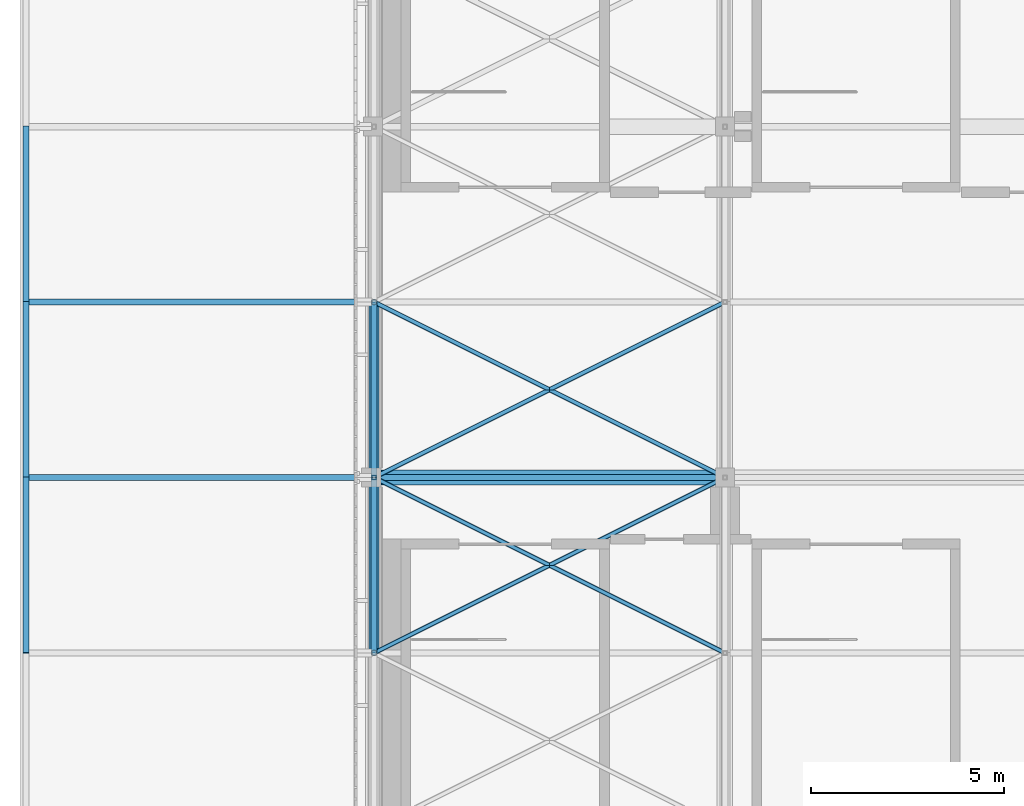
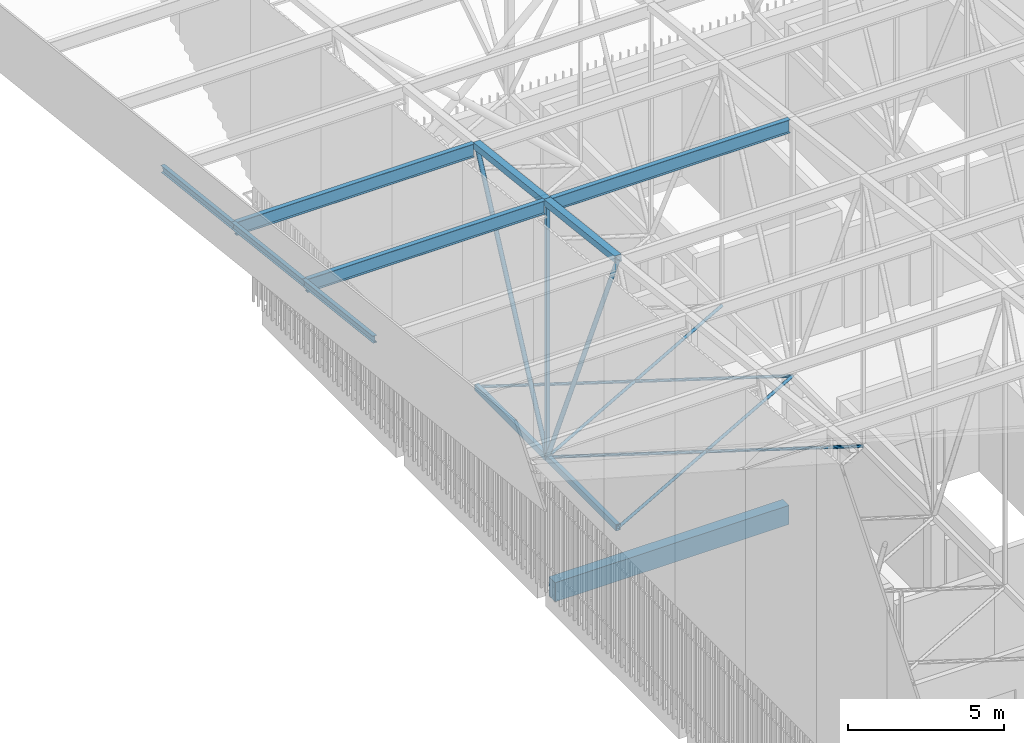
# One storey, part 218 of 500: 17 members, 1 beam.
"""IFC4 building model written with IfcOpenShell, lengths in metres."""

from ifc_helpers import new_model, si_unit, direction, frame, origin, origin_2d, place, context, subcontext, project, spatial, rectangle, hollow_rectangle, hollow_circle, i_section, extrude, material, material_profile, profile_set, type_object, element, save


model = new_model("IFC4")

# Units and contexts
model_context = context("Model", 3, precision=1e-05, world=origin(), true_north=direction((0.0, 1.0)))
body_context = subcontext(model_context, "Body", "Model", "MODEL_VIEW")
ifc_project = project(units=[si_unit("LENGTHUNIT", "METRE"), si_unit("AREAUNIT", "SQUARE_METRE"), si_unit("VOLUMEUNIT", "CUBIC_METRE"), si_unit("PLANEANGLEUNIT", "RADIAN"), si_unit("MASSUNIT", "GRAM", prefix="KILO")], contexts=[model_context])

# Site, building, storey
site_placement = place(None, origin())
site = spatial("IfcSite", under=ifc_project, at=site_placement, CompositionType="ELEMENT")
building_placement = place(site_placement, origin())
building = spatial("IfcBuilding", under=site, at=building_placement, Name="Shirokan Park Arena", CompositionType="ELEMENT")
storey_placement = place(building_placement, frame((0.0, 0.0, 29.1201171875)))
storey = spatial("IfcBuildingStorey", under=building, at=storey_placement, Name="L06", CompositionType="ELEMENT", Elevation=29.1201171875)

# Members
ifc_material_1 = material(Name="Steel ASTM A500 Grade C", Category="steel")
ifc_material_profile_1 = material_profile(ifc_material_1, hollow_rectangle(XDim=0.152099609375, YDim=0.25390625, WallThickness=0.009521484375, at=origin_2d()), Name="HSS254X152.4X9.5")
ifc_profile_set_1 = profile_set([ifc_material_profile_1], Name="Steel ASTM A500 Grade C")
member_type_1 = type_object("IfcMemberType", Name="Bottom chord HSS254X152.4X9.5", PredefinedType="CHORD", material=ifc_profile_set_1)
for number, where, z_axis, x_axis, name in (
    (1, (0.0, 86.449951171875, 4.677001953125), (0.0, 1.0, 0.0), (-1.0, 0.0, 0.0), "Truss T01 bottom chord 22"),
    (2, (0.0, 91.0, 4.677001953125), (0.0, 1.0, 0.0), (-1.0, 0.0, 0.0), "Truss T01 bottom chord 23"),
):
    element("IfcMember", number, at=place(storey_placement, frame(where, z_axis=z_axis, x_axis=x_axis)), inside=storey, type_object=member_type_1, Name=name, PredefinedType="CHORD", context=body_context, shape_type="SweptSolid", body=[
        extrude(hollow_rectangle(XDim=0.152099609375, YDim=0.25390625, WallThickness=0.009521484375, at=origin_2d()), origin(), (0.0, 0.0, 1.0), 4.550048828125),
    ])
ifc_material_profile_2 = material_profile(ifc_material_1, hollow_circle(Radius=0.056884765625, WallThickness=0.006103515625, at=origin_2d()), Name="HSS114.3X6")
ifc_profile_set_2 = profile_set([ifc_material_profile_2], Name="Steel ASTM A500 Grade C")
member_type_2 = type_object("IfcMemberType", Name="Plan bracing HSS114.3X6", PredefinedType="BRACE", material=ifc_profile_set_2)
for number, where, z_axis, x_axis, name in (
    (3, (0.0, 86.449951171875, 4.677001953125), (0.894427191, 0.4472135955, 0.0), (-0.4472135955, 0.894427191, 0.0), "Plan bracing bay 1 panel 22 A"),
    (4, (9.10009765625, 86.449951171875, 4.677001953125), (-0.894427191, 0.4472135955, 0.0), (-0.4472135955, -0.894427191, 0.0), "Plan bracing bay 1 panel 22 B"),
    (5, (0.0, 91.0, 4.677001953125), (0.894427191, 0.4472135955, 0.0), (-0.4472135955, 0.894427191, 0.0), "Plan bracing bay 1 panel 23 A"),
    (6, (9.10009765625, 91.0, 4.677001953125), (-0.894427191, 0.4472135955, 0.0), (-0.4472135955, -0.894427191, 0.0), "Plan bracing bay 1 panel 23 B"),
):
    element("IfcMember", number, at=place(storey_placement, frame(where, z_axis=z_axis, x_axis=x_axis)), inside=storey, type_object=member_type_2, Name=name, PredefinedType="BRACE", context=body_context, shape_type="SweptSolid", body=[
        extrude(hollow_circle(Radius=0.056884765625, WallThickness=0.006103515625, at=origin_2d()), origin(), (0.0, 0.0, 1.0), 10.17431640625),
    ])
ifc_material_2 = material(Name="Steel ASTM A992", Category="steel")
ifc_material_profile_3 = material_profile(ifc_material_2, i_section(OverallWidth=0.166015625, OverallDepth=0.528076171875, WebThickness=0.009765625, FlangeThickness=0.013671875, at=origin_2d()), Name="W530X74")
ifc_profile_set_3 = profile_set([ifc_material_profile_3], Name="Steel ASTM A992")
member_type_3 = type_object("IfcMemberType", Name="Purlin W530X74", PredefinedType="PURLIN", material=ifc_profile_set_3)
member_1_placement = place(storey_placement, frame((0.126953125, 91.0, 14.56591796875), z_axis=(1.0, 0.0, 0.0), x_axis=(0.0, 1.0, 0.0)))
element("IfcMember", 7, at=member_1_placement, inside=storey, type_object=member_type_3, Name="Purlin 23 bay 1", PredefinedType="PURLIN", context=body_context, shape_type="SweptSolid", body=[
    extrude(i_section(OverallWidth=0.166015625, OverallDepth=0.528076171875, WebThickness=0.009765625, FlangeThickness=0.013671875, at=origin_2d()), origin(), (0.0, 0.0, 1.0), 8.845947265625),
])
for number, where, z_axis, x_axis, name in (
    (8, (-8.951904296875, 91.0, 14.56591796875), (1.0, 0.0, 0.0), (0.0, 1.0, 0.0), "Eave purlin west 23"),
    (9, (-8.951904296875, 95.550048828125, 14.0458984375), (1.0, 0.0, 0.0), (0.0, 1.0, 0.0), "Eave purlin west 24"),
):
    element("IfcMember", number, at=place(storey_placement, frame(where, z_axis=z_axis, x_axis=x_axis)), inside=storey, type_object=member_type_3, Name=name, PredefinedType="PURLIN", context=body_context, shape_type="SweptSolid", body=[
        extrude(i_section(OverallWidth=0.166015625, OverallDepth=0.528076171875, WebThickness=0.009765625, FlangeThickness=0.013671875, at=origin_2d()), origin(), (0.0, 0.0, 1.0), 8.824951171875),
    ])

# Beam
ifc_material_3 = material(Name="Concrete C35", Category="concrete")
ifc_material_profile_4 = material_profile(ifc_material_3, rectangle(XDim=0.39990234375, YDim=0.75, at=origin_2d()), Name="400x750")
ifc_profile_set_4 = profile_set([ifc_material_profile_4], Name="Concrete C35")
beam_type = type_object("IfcBeamType", Name="RC girder 400x750", PredefinedType="BEAM", material=ifc_profile_set_4)
beam_placement = place(storey_placement, frame((0.175048828125, 91.0, -0.5751953125), z_axis=(1.0, 0.0, 0.0), x_axis=(0.0, 1.0, 0.0)))
element("IfcBeam", 10, at=beam_placement, inside=storey, type_object=beam_type, Name="Girder 1L-2L L06", PredefinedType="BEAM", context=body_context, shape_type="SweptSolid", body=[
    extrude(rectangle(XDim=0.39990234375, YDim=0.75, at=origin_2d()), origin(), (0.0, 0.0, 1.0), 8.6748046875),
])

# Members
ifc_material_profile_5 = material_profile(ifc_material_2, i_section(OverallWidth=0.14794921875, OverallDepth=0.26708984375, WebThickness=0.007568359375, FlangeThickness=0.012939453125, at=origin_2d()), Name="W250X44.8")
ifc_profile_set_5 = profile_set([ifc_material_profile_5], Name="Steel ASTM A992")
member_type_4 = type_object("IfcMemberType", Name="Roof edge beam W250X44.8", PredefinedType="USERDEFINED", material=ifc_profile_set_5)
for number, where, z_axis, x_axis, name in (
    (11, (-9.02587890625, 86.449951171875, 15.21630859375), (0.0, 0.993532328996, -0.113549598152), (-1.0, 0.0, 0.0), "Roof edge beam W 22"),
    (12, (-9.02587890625, 91.0, 14.6962890625), (0.0, 0.993532328996, -0.113549598152), (-1.0, 0.0, 0.0), "Roof edge beam W 23"),
    (13, (-9.02587890625, 95.550048828125, 14.17626953125), (0.0, 0.993538341779, -0.113496975353), (-1.0, 0.0, 0.0), "Roof edge beam W 24"),
):
    element("IfcMember", number, at=place(storey_placement, frame(where, z_axis=z_axis, x_axis=x_axis)), inside=storey, type_object=member_type_4, Name=name, ObjectType="ROOF EDGE BEAM", PredefinedType="USERDEFINED", context=body_context, shape_type="SweptSolid", body=[
        extrude(i_section(OverallWidth=0.14794921875, OverallDepth=0.26708984375, WebThickness=0.007568359375, FlangeThickness=0.012939453125, at=origin_2d()), origin(), (0.0, 0.0, 1.0), 4.57958984375),
    ])
ifc_material_profile_6 = material_profile(ifc_material_1, hollow_rectangle(XDim=0.25390625, YDim=0.25390625, WallThickness=0.009521484375, at=origin_2d()), Name="HSS254X254X9.5")
ifc_profile_set_6 = profile_set([ifc_material_profile_6], Name="Steel ASTM A500 Grade C")
member_type_5 = type_object("IfcMemberType", Name="Top chord HSS254X254X9.5", PredefinedType="CHORD", material=ifc_profile_set_6)
for number, where, z_axis, x_axis, name in (
    (14, (0.0, 86.449951171875, 15.222900390625), (0.0, 0.993532328996, -0.113549598152), (-1.0, 0.0, 0.0), "Truss T01 top chord 22"),
    (15, (0.0, 91.0, 14.702880859375), (0.0, 0.993532328996, -0.113549598152), (-1.0, 0.0, 0.0), "Truss T01 top chord 23"),
):
    element("IfcMember", number, at=place(storey_placement, frame(where, z_axis=z_axis, x_axis=x_axis)), inside=storey, type_object=member_type_5, Name=name, PredefinedType="CHORD", context=body_context, shape_type="SweptSolid", body=[
        extrude(hollow_rectangle(XDim=0.25390625, YDim=0.25390625, WallThickness=0.009521484375, at=origin_2d()), origin(), (0.0, 0.0, 1.0), 4.57958984375),
    ])
ifc_material_profile_7 = material_profile(ifc_material_1, hollow_circle(Radius=0.083984375, WallThickness=0.009521484375, at=origin_2d()), Name="HSS168.3X9.5")
ifc_profile_set_7 = profile_set([ifc_material_profile_7], Name="Steel ASTM A500 Grade C")
member_type_6 = type_object("IfcMemberType", Name="Truss diagonal HSS168.3X9.5", PredefinedType="BRACE", material=ifc_profile_set_7)
member_2_placement = place(storey_placement, frame((0.0, 86.449951171875, 15.222900390625), z_axis=(0.0, 0.396152605513, -0.918184683572), x_axis=(-1.0, 0.0, 0.0)))
element("IfcMember", 16, at=member_2_placement, inside=storey, type_object=member_type_6, Name="Truss T01 diagonal 22", PredefinedType="BRACE", context=body_context, shape_type="SweptSolid", body=[
    extrude(hollow_circle(Radius=0.083984375, WallThickness=0.009521484375, at=origin_2d()), origin(), (0.0, 0.0, 1.0), 11.485595703125),
])
member_3_placement = place(storey_placement, frame((0.0, 91.0, 4.677001953125), z_axis=(0.0, 0.431746476626, 0.901994999942), x_axis=(-1.0, 0.0, 0.0)))
element("IfcMember", 17, at=member_3_placement, inside=storey, type_object=member_type_6, Name="Truss T01 diagonal 23", PredefinedType="BRACE", context=body_context, shape_type="SweptSolid", body=[
    extrude(hollow_circle(Radius=0.083984375, WallThickness=0.009521484375, at=origin_2d()), origin(), (0.0, 0.0, 1.0), 10.538818359375),
])
ifc_material_profile_8 = material_profile(ifc_material_1, hollow_rectangle(XDim=0.126953125, YDim=0.126953125, WallThickness=0.0126953125, at=origin_2d()), Name="HSS127X127X12.7")
ifc_profile_set_8 = profile_set([ifc_material_profile_8], Name="Steel ASTM A500 Grade C")
member_type_7 = type_object("IfcMemberType", Name="Truss post HSS127X127X12.7", PredefinedType="POST", material=ifc_profile_set_8)
member_4_placement = place(storey_placement, frame((0.0, 91.0, 4.677001953125), z_axis=(0.0, 0.0, 1.0), x_axis=(1.0, 0.0, 0.0)))
element("IfcMember", 18, at=member_4_placement, inside=storey, type_object=member_type_7, Name="Truss T01 post 23", PredefinedType="POST", context=body_context, shape_type="SweptSolid", body=[
    extrude(hollow_rectangle(XDim=0.126953125, YDim=0.126953125, WallThickness=0.0126953125, at=origin_2d()), origin(), (0.0, 0.0, 1.0), 10.02587890625),
])

save(model, "model.ifc")
